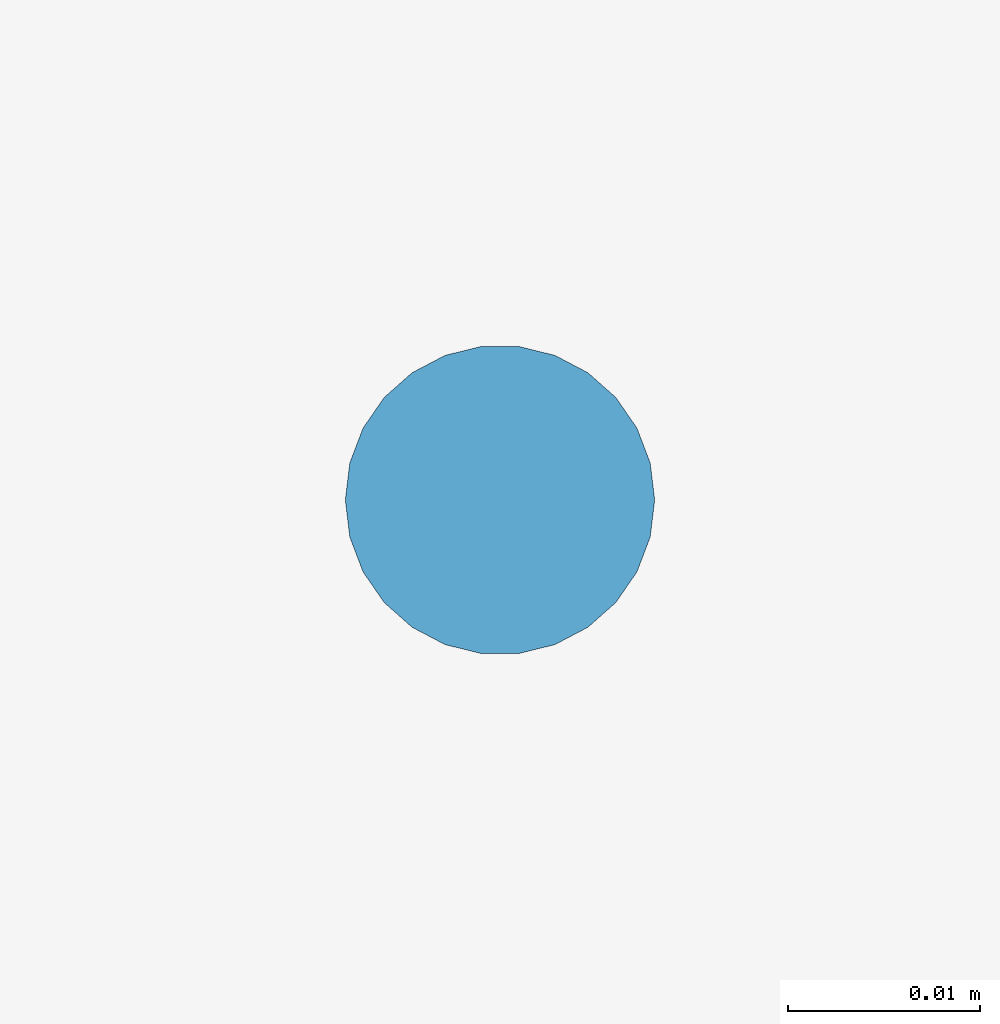
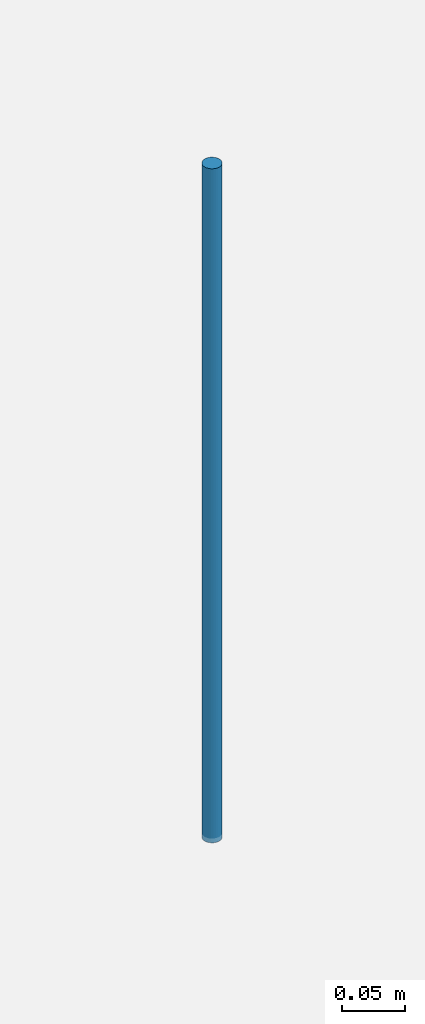
# One storey, part 70 of 77: 1 discrete accessory.
"""IFC4 building model written with IfcOpenShell, lengths in metres."""

import ifcopenshell
import ifcopenshell.guid

model = None  # the IFC model being written
_history = None  # IfcOwnerHistory: only IFC2X3 demands one
_inside = {}  # id of a spatial element -> (the spatial element, [elements in it])
_under = {}  # id of a project, library or spatial element -> (it, [spatial elements below it])
_declared = {}  # id of a project -> (the project, [libraries it declares])
_typed = {}  # id of a type object -> (the type object, [elements of that type])
_made_of = {}  # id of a material, layer set ... -> (it, [elements and type objects made of it])


def new_model(schema):
    """Start an empty IFC model of exactly this schema.

    Asked for "IFC4X3", IfcOpenShell would pick the latest addendum, in which some entities
    have other attributes; the version numbers below select the first issue.
    IFC2X3 requires an IfcOwnerHistory on every rooted entity: one is made here for all.
    """
    global model, _history
    if schema == "IFC4X3":
        model = ifcopenshell.file(schema_version=(4, 3, 0, 0))
    else:
        model = ifcopenshell.file(schema=schema)
    _inside.clear()
    _under.clear()
    _declared.clear()
    _typed.clear()
    _made_of.clear()
    _history = None
    if model.schema == "IFC2X3":
        org = make("IfcOrganization", Name="unknown")
        user = make(
            "IfcPersonAndOrganization",
            ThePerson=make("IfcPerson", FamilyName="unknown"),
            TheOrganization=org,
        )
        app = make(
            "IfcApplication",
            ApplicationDeveloper=org,
            Version="unknown",
            ApplicationFullName="unknown",
            ApplicationIdentifier="unknown",
        )
        _history = make(
            "IfcOwnerHistory",
            OwningUser=user,
            OwningApplication=app,
            ChangeAction="ADDED",
            CreationDate=0,
        )
    return model


def make(cls, **values):
    """One entity of the class cls with the attributes given. An attribute that is None is left unset."""
    return model.create_entity(
        cls, **{name: value for name, value in values.items() if value is not None}
    )


def rooted(cls, **values):
    """An entity with a GlobalId (a new one), such as an element, a storey or a relation."""
    return make(cls, GlobalId=ifcopenshell.guid.new(), OwnerHistory=_history, **values)


def si_unit(unit_type, name, prefix=None):
    """IfcSIUnit, for example si_unit("LENGTHUNIT", "METRE", prefix="MILLI")."""
    return make("IfcSIUnit", UnitType=unit_type, Prefix=prefix, Name=name)


def assignment(units):
    """IfcUnitAssignment: the units of a project."""
    return None if units is None else make("IfcUnitAssignment", Units=units)


def point(xyz):
    """IfcCartesianPoint."""
    return None if xyz is None else make("IfcCartesianPoint", Coordinates=xyz)


def direction(xyz):
    """IfcDirection."""
    return None if xyz is None else make("IfcDirection", DirectionRatios=xyz)


def frame(location, z_axis=None, x_axis=None):
    """IfcAxis2Placement3D, a coordinate frame: its origin and axes. An axis left out is left unset."""
    return make(
        "IfcAxis2Placement3D",
        Location=point(location),
        Axis=direction(z_axis),
        RefDirection=direction(x_axis),
    )


def frame_2d(location, x_axis=None):
    """IfcAxis2Placement2D, a coordinate frame in the plane: its origin and x axis."""
    return make(
        "IfcAxis2Placement2D", Location=point(location), RefDirection=direction(x_axis)
    )


def origin():
    """The frame at (0, 0, 0) with its axes left unset."""
    return frame((0.0, 0.0, 0.0))


def origin_2d():
    """The frame at (0, 0) in the plane with its x axis left unset."""
    return frame_2d((0.0, 0.0))


def place(relative_to, where):
    """IfcLocalPlacement: puts the frame where relative to a parent placement (None: the world)."""
    return make(
        "IfcLocalPlacement", PlacementRelTo=relative_to, RelativePlacement=where
    )


def context(
    kind, dimensions, precision=None, world=None, true_north=None, identifier=None
):
    """IfcGeometricRepresentationContext, for example the 3D "Model" context."""
    return make(
        "IfcGeometricRepresentationContext",
        ContextIdentifier=identifier,
        ContextType=kind,
        CoordinateSpaceDimension=dimensions,
        Precision=precision,
        WorldCoordinateSystem=world,
        TrueNorth=true_north,
    )


def subcontext(parent, identifier, kind, view, scale=None):
    """IfcGeometricRepresentationSubContext, for example "Body" below "Model"."""
    return make(
        "IfcGeometricRepresentationSubContext",
        ContextIdentifier=identifier,
        ContextType=kind,
        ParentContext=parent,
        TargetScale=scale,
        TargetView=view,
    )


def project(units=None, contexts=None):
    """IfcProject with its units and contexts."""
    return rooted(
        "IfcProject",
        Name="project",
        RepresentationContexts=contexts,
        UnitsInContext=assignment(units),
    )


def spatial(cls, under=None, at=None, **own):
    """A site, building, storey or space (cls), placed at a placement, below another one or the project."""
    s = rooted(cls, ObjectPlacement=at, **own)
    if under is not None:
        _under.setdefault(under.id(), (under, []))[1].append(s)
    return s


def profile(cls, at=None, kind="AREA", **sizes):
    """A parametric profile (cls). Its sizes go by their IFC names, for example OverallWidth=200.0."""
    return make(cls, ProfileType=kind, Position=at, **sizes)


def circle(**sizes):
    """IfcCircleProfileDef."""
    return profile("IfcCircleProfileDef", **sizes)


def extrude(swept, where, along, depth):
    """IfcExtrudedAreaSolid: the profile swept, set in the frame where, extruded along a direction by depth."""
    return make(
        "IfcExtrudedAreaSolid",
        SweptArea=swept,
        Position=where,
        ExtrudedDirection=direction(along),
        Depth=depth,
    )


def shape(context_of_items, identifier, shape_type, items):
    """IfcShapeRepresentation: the items that make up one representation, for example the "Body"."""
    return make(
        "IfcShapeRepresentation",
        ContextOfItems=context_of_items,
        RepresentationIdentifier=identifier,
        RepresentationType=shape_type,
        Items=items,
    )


def material(Name=None, Category=None):
    """IfcMaterial."""
    return make("IfcMaterial", Name=Name, Category=Category)


def made_of(thing, what):
    """Note that an element or type object is made of a material, layer set ...; save() writes the relation."""
    if what is not None:
        _made_of.setdefault(what.id(), (what, []))[1].append(thing)
    return thing


def type_object(cls, material=None, **own):
    """A type object (cls), such as IfcWallType, which elements share."""
    return made_of(rooted(cls, **own), material)


def element(
    cls,
    number,
    at=None,
    inside=None,
    cuts=None,
    type_object=None,
    material=None,
    context=None,
    identifier="Body",
    shape_type=None,
    held_by="IfcProductDefinitionShape",
    body=None,
    shapes=None,
    **own,
):
    """One element of the class cls, such as IfcWall. Its Tag is "e" and its number.

    at: its placement. inside: the storey or other place that contains it. cuts: it is an
    opening in that element (IfcRelVoidsElement). A single representation is given by context,
    identifier, shape_type and body (its items); several are given by shapes. held_by: the class
    of the entity that holds the representations. save() writes the other relations.
    """
    e = rooted(cls, Tag="e%d" % number, ObjectPlacement=at, **own)
    if body is not None:
        shapes = [shape(context, identifier, shape_type, body)]
    if shapes is not None:
        e.Representation = make(held_by, Representations=shapes)
    if inside is not None:
        _inside.setdefault(inside.id(), (inside, []))[1].append(e)
    if cuts is not None:
        rooted(
            "IfcRelVoidsElement", RelatingBuildingElement=cuts, RelatedOpeningElement=e
        )
    if type_object is not None:
        _typed.setdefault(type_object.id(), (type_object, []))[1].append(e)
    return made_of(e, material)


def aggregate(whole, parts):
    """IfcRelAggregates: a whole, such as a stair, and the parts it consists of."""
    return rooted("IfcRelAggregates", RelatingObject=whole, RelatedObjects=parts)


def save(model, path):
    """Write the relations noted so far, then the file.

    IfcRelAggregates (storeys below a building ...), IfcRelContainedInSpatialStructure (elements
    in a storey), IfcRelDefinesByType, IfcRelAssociatesMaterial and IfcRelDeclares: one each for
    every whole, place, type object, material and project.
    """
    for whole, parts in _under.values():
        aggregate(whole, parts)
    for where, things in _inside.values():
        rooted(
            "IfcRelContainedInSpatialStructure",
            RelatedElements=things,
            RelatingStructure=where,
        )
    for kind, things in _typed.values():
        rooted("IfcRelDefinesByType", RelatedObjects=things, RelatingType=kind)
    for what, things in _made_of.values():
        rooted("IfcRelAssociatesMaterial", RelatedObjects=things, RelatingMaterial=what)
    for by, libraries in _declared.values():
        rooted("IfcRelDeclares", RelatingContext=by, RelatedDefinitions=libraries)
    model.write(path)


model = new_model("IFC4")

# Units and contexts
model_context = context("Model", 3, precision=1e-05, world=origin(), true_north=direction((0.0, 1.0)))
body_context = subcontext(model_context, "Body", "Model", "MODEL_VIEW")
ifc_project = project(units=[si_unit("LENGTHUNIT", "METRE"), si_unit("AREAUNIT", "SQUARE_METRE"), si_unit("VOLUMEUNIT", "CUBIC_METRE"), si_unit("PLANEANGLEUNIT", "RADIAN"), si_unit("MASSUNIT", "GRAM", prefix="KILO")], contexts=[model_context])

# Site, building, storey
site_placement = place(None, origin())
site = spatial("IfcSite", under=ifc_project, at=site_placement, CompositionType="ELEMENT")
building_placement = place(site_placement, origin())
building = spatial("IfcBuilding", under=site, at=building_placement, Name="Yukiwa Park Conservatory and Herbarium", CompositionType="ELEMENT")
storey_placement = place(building_placement, frame((0.0, 0.0, 13.199951171875)))
storey = spatial("IfcBuildingStorey", under=building, at=storey_placement, Name="L03", CompositionType="ELEMENT", Elevation=13.199951171875)

# Discrete accessory
ifc_material = material(Name="Steel Q235B", Category="steel")
discrete_accessory_type = type_object("IfcDiscreteAccessoryType", Name="ACC-CEILING-HANGER", PredefinedType="BRACKET", material=ifc_material)
discrete_accessory_placement = place(storey_placement, frame((118.39990234375, 107.39990234375, 3.275146484375), z_axis=(0.0, 0.0, 1.0), x_axis=(1.0, 0.0, 0.0)))
element("IfcDiscreteAccessory", 1, at=discrete_accessory_placement, inside=storey, type_object=discrete_accessory_type, Name="Ceiling suspension hanger rod 17", PredefinedType="BRACKET", context=body_context, shape_type="SweptSolid", body=[
    extrude(circle(Radius=0.008056640625, at=origin_2d()), origin(), (0.0, 0.0, 1.0), 0.64990234375),
])

save(model, "model.ifc")
